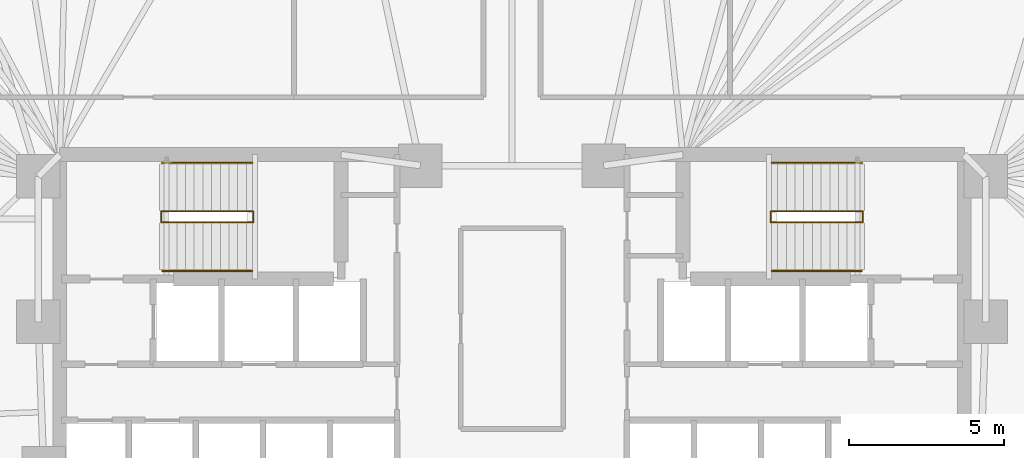
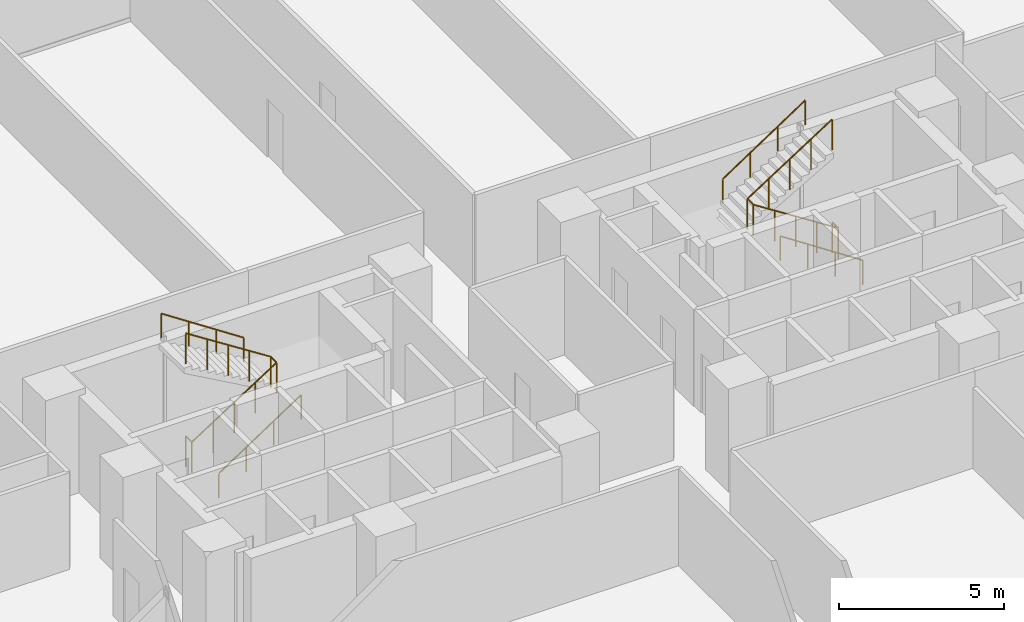
# One storey, part 17 of 17: 6 railings.
"""IFC4 building model written with IfcOpenShell, lengths in metres."""

from ifc_helpers import new_model, si_unit, direction, frame, origin, origin_2d, place, context, subcontext, project, spatial, circle, extrude, material, type_object, element, save


model = new_model("IFC4")

# Units and contexts
model_context = context("Model", 3, precision=1e-05, world=origin(), true_north=direction((0.0, 1.0)))
body_context = subcontext(model_context, "Body", "Model", "MODEL_VIEW")
ifc_project = project(units=[si_unit("LENGTHUNIT", "METRE"), si_unit("AREAUNIT", "SQUARE_METRE"), si_unit("VOLUMEUNIT", "CUBIC_METRE"), si_unit("PLANEANGLEUNIT", "RADIAN"), si_unit("MASSUNIT", "GRAM", prefix="KILO")], contexts=[model_context])

# Site, building, storey
site_placement = place(None, origin())
site = spatial("IfcSite", under=ifc_project, at=site_placement, CompositionType="ELEMENT")
building_placement = place(site_placement, origin())
building = spatial("IfcBuilding", under=site, at=building_placement, Name="Menara Jurai Vektor", CompositionType="ELEMENT")
storey_placement = place(building_placement, frame((0.0, 0.0, 25.60009765625)))
storey = spatial("IfcBuildingStorey", under=building, at=storey_placement, Name="L05", CompositionType="ELEMENT", Elevation=25.60009765625)

# Railings
ifc_material_1 = material(Name="Painted Galvanised Steel Balustrade", Category="steel")
railing_type_1 = type_object("IfcRailingType", Name="RAIL-STAIR-GUARD", PredefinedType="GUARDRAIL", material=ifc_material_1)
railing_1_placement = place(storey_placement, frame((-11.2900390625, 3.780029296875, 0.0)))
element("IfcRailing", 1, at=railing_1_placement, inside=storey, type_object=railing_type_1, Name="ST1 Stair Guardrail 1 L05", PredefinedType="GUARDRAIL", context=body_context, shape_type="SweptSolid", body=[
    extrude(circle(Radius=0.02392578125, at=origin_2d()), frame((0.0, 0.0, 1.1259765625), z_axis=(0.0, -1.0, 0.0), x_axis=(1.0, 0.0, 0.0)), (0.0, 0.0, 1.0), 0.360107421875),
    extrude(circle(Radius=0.02392578125, at=origin_2d()), frame((0.0, -0.360107421875, 1.1259765625), z_axis=(0.841557155905, 0.0, 0.540168078791), x_axis=(0.0, 1.0, 0.0)), (0.0, 0.0, 1.0), 3.517333984375),
    extrude(circle(Radius=0.02392578125, at=origin_2d()), frame((2.9599609375, -0.360107421875, 3.02587890625), z_axis=(0.0, 1.0, 0.0), x_axis=(-1.0, 0.0, 0.0)), (0.0, 0.0, 1.0), 0.360107421875),
    extrude(circle(Radius=0.02392578125, at=origin_2d()), frame((2.9599609375, 0.0, 3.02587890625), z_axis=(-0.841557155905, 0.0, 0.540168078791), x_axis=(0.0, -1.0, 0.0)), (0.0, 0.0, 1.0), 3.517333984375),
    extrude(circle(Radius=0.02099609375, at=origin_2d()), origin(), (0.0, 0.0, 1.0), 1.101806640625),
    extrude(circle(Radius=0.02099609375, at=origin_2d()), frame((0.0, -0.360107421875, 0.0)), (0.0, 0.0, 1.0), 1.101806640625),
    extrude(circle(Radius=0.02099609375, at=origin_2d()), frame((0.739990234375, -0.360107421875, 0.47509765625)), (0.0, 0.0, 1.0), 1.101806640625),
    extrude(circle(Radius=0.02099609375, at=origin_2d()), frame((1.47998046875, -0.360107421875, 0.949951171875)), (0.0, 0.0, 1.0), 1.101806640625),
    extrude(circle(Radius=0.02099609375, at=origin_2d()), frame((2.219970703125, -0.360107421875, 1.4248046875)), (0.0, 0.0, 1.0), 1.101806640625),
    extrude(circle(Radius=0.02099609375, at=origin_2d()), frame((2.9599609375, -0.360107421875, 1.89990234375)), (0.0, 0.0, 1.0), 1.101806640625),
    extrude(circle(Radius=0.02099609375, at=origin_2d()), frame((2.9599609375, 0.0, 1.89990234375)), (0.0, 0.0, 1.0), 1.101806640625),
    extrude(circle(Radius=0.02099609375, at=origin_2d()), frame((2.219970703125, 0.0, 2.375)), (0.0, 0.0, 1.0), 1.101806640625),
    extrude(circle(Radius=0.02099609375, at=origin_2d()), frame((1.47998046875, 0.0, 2.849853515625)), (0.0, 0.0, 1.0), 1.101806640625),
    extrude(circle(Radius=0.02099609375, at=origin_2d()), frame((0.739990234375, 0.0, 3.32470703125)), (0.0, 0.0, 1.0), 1.101806640625),
    extrude(circle(Radius=0.02099609375, at=origin_2d()), frame((0.0, 0.0, 3.7998046875)), (0.0, 0.0, 1.0), 1.101806640625),
])
railing_2_placement = place(storey_placement, frame((11.2900390625, 3.780029296875, 0.0)))
element("IfcRailing", 2, at=railing_2_placement, inside=storey, type_object=railing_type_1, Name="ST2 Stair Guardrail 1 L05", PredefinedType="GUARDRAIL", context=body_context, shape_type="SweptSolid", body=[
    extrude(circle(Radius=0.02392578125, at=origin_2d()), frame((0.0, 0.0, 1.1259765625), z_axis=(0.0, -1.0, 0.0), x_axis=(1.0, 0.0, 0.0)), (0.0, 0.0, 1.0), 0.360107421875),
    extrude(circle(Radius=0.02392578125, at=origin_2d()), frame((0.0, -0.360107421875, 1.1259765625), z_axis=(-0.841557155905, 0.0, 0.540168078791), x_axis=(0.0, -1.0, 0.0)), (0.0, 0.0, 1.0), 3.517333984375),
    extrude(circle(Radius=0.02392578125, at=origin_2d()), frame((-2.9599609375, -0.360107421875, 3.02587890625), z_axis=(0.0, 1.0, 0.0), x_axis=(-1.0, 0.0, 0.0)), (0.0, 0.0, 1.0), 0.360107421875),
    extrude(circle(Radius=0.02392578125, at=origin_2d()), frame((-2.9599609375, 0.0, 3.02587890625), z_axis=(0.841557155905, 0.0, 0.540168078791), x_axis=(0.0, 1.0, 0.0)), (0.0, 0.0, 1.0), 3.517333984375),
    extrude(circle(Radius=0.02099609375, at=origin_2d()), origin(), (0.0, 0.0, 1.0), 1.101806640625),
    extrude(circle(Radius=0.02099609375, at=origin_2d()), frame((0.0, -0.360107421875, 0.0)), (0.0, 0.0, 1.0), 1.101806640625),
    extrude(circle(Radius=0.02099609375, at=origin_2d()), frame((-0.739990234375, -0.360107421875, 0.47509765625)), (0.0, 0.0, 1.0), 1.101806640625),
    extrude(circle(Radius=0.02099609375, at=origin_2d()), frame((-1.47998046875, -0.360107421875, 0.949951171875)), (0.0, 0.0, 1.0), 1.101806640625),
    extrude(circle(Radius=0.02099609375, at=origin_2d()), frame((-2.219970703125, -0.360107421875, 1.4248046875)), (0.0, 0.0, 1.0), 1.101806640625),
    extrude(circle(Radius=0.02099609375, at=origin_2d()), frame((-2.9599609375, -0.360107421875, 1.89990234375)), (0.0, 0.0, 1.0), 1.101806640625),
    extrude(circle(Radius=0.02099609375, at=origin_2d()), frame((-2.9599609375, 0.0, 1.89990234375)), (0.0, 0.0, 1.0), 1.101806640625),
    extrude(circle(Radius=0.02099609375, at=origin_2d()), frame((-2.219970703125, 0.0, 2.375)), (0.0, 0.0, 1.0), 1.101806640625),
    extrude(circle(Radius=0.02099609375, at=origin_2d()), frame((-1.47998046875, 0.0, 2.849853515625)), (0.0, 0.0, 1.0), 1.101806640625),
    extrude(circle(Radius=0.02099609375, at=origin_2d()), frame((-0.739990234375, 0.0, 3.32470703125)), (0.0, 0.0, 1.0), 1.101806640625),
    extrude(circle(Radius=0.02099609375, at=origin_2d()), frame((0.0, 0.0, 3.7998046875)), (0.0, 0.0, 1.0), 1.101806640625),
])
ifc_material_2 = material(Name="Brushed Stainless Steel Handrail", Category="steel")
railing_type_2 = type_object("IfcRailingType", Name="RAIL-STAIR-HAND", PredefinedType="HANDRAIL", material=ifc_material_2)
railing_3_placement = place(storey_placement, frame((-11.25, 1.860107421875, 0.0)))
element("IfcRailing", 3, at=railing_3_placement, inside=storey, type_object=railing_type_2, Name="ST1 Stair Handrail 1 L05", PredefinedType="HANDRAIL", context=body_context, shape_type="SweptSolid", body=[
    extrude(circle(Radius=0.02392578125, at=origin_2d()), frame((0.0, 0.0, 0.89599609375), z_axis=(0.834718698933, 0.0, 0.550676578085), x_axis=(0.0, 1.0, 0.0)), (0.0, 0.0, 1.0), 3.4501953125),
    extrude(circle(Radius=0.02099609375, at=origin_2d()), origin(), (0.0, 0.0, 1.0), 0.871826171875),
    extrude(circle(Radius=0.02099609375, at=origin_2d()), frame((0.9599609375, 0.0, 0.63330078125)), (0.0, 0.0, 1.0), 0.871826171875),
    extrude(circle(Radius=0.02099609375, at=origin_2d()), frame((1.919921875, 0.0, 1.2666015625)), (0.0, 0.0, 1.0), 0.871826171875),
    extrude(circle(Radius=0.02099609375, at=origin_2d()), frame((2.8798828125, 0.0, 1.89990234375)), (0.0, 0.0, 1.0), 0.871826171875),
])
for number, where, name in (
    (4, (-8.3701171875, 5.340087890625, 1.89990234375), "ST1 Stair Handrail 2 L05"),
    (5, (11.25, 1.860107421875, 0.0), "ST2 Stair Handrail 1 L05"),
):
    element("IfcRailing", number, at=place(storey_placement, frame(where)), inside=storey, type_object=railing_type_2, Name=name, PredefinedType="HANDRAIL", context=body_context, shape_type="SweptSolid", body=[
        extrude(circle(Radius=0.02392578125, at=origin_2d()), frame((0.0, 0.0, 0.89599609375), z_axis=(-0.834718698933, 0.0, 0.550676578085), x_axis=(0.0, -1.0, 0.0)), (0.0, 0.0, 1.0), 3.4501953125),
        extrude(circle(Radius=0.02099609375, at=origin_2d()), origin(), (0.0, 0.0, 1.0), 0.871826171875),
        extrude(circle(Radius=0.02099609375, at=origin_2d()), frame((-0.9599609375, 0.0, 0.63330078125)), (0.0, 0.0, 1.0), 0.871826171875),
        extrude(circle(Radius=0.02099609375, at=origin_2d()), frame((-1.919921875, 0.0, 1.2666015625)), (0.0, 0.0, 1.0), 0.871826171875),
        extrude(circle(Radius=0.02099609375, at=origin_2d()), frame((-2.8798828125, 0.0, 1.89990234375)), (0.0, 0.0, 1.0), 0.871826171875),
    ])
railing_4_placement = place(storey_placement, frame((8.3701171875, 5.340087890625, 1.89990234375)))
element("IfcRailing", 6, at=railing_4_placement, inside=storey, type_object=railing_type_2, Name="ST2 Stair Handrail 2 L05", PredefinedType="HANDRAIL", context=body_context, shape_type="SweptSolid", body=[
    extrude(circle(Radius=0.02392578125, at=origin_2d()), frame((0.0, 0.0, 0.89599609375), z_axis=(0.834718698933, 0.0, 0.550676578085), x_axis=(0.0, 1.0, 0.0)), (0.0, 0.0, 1.0), 3.4501953125),
    extrude(circle(Radius=0.02099609375, at=origin_2d()), origin(), (0.0, 0.0, 1.0), 0.871826171875),
    extrude(circle(Radius=0.02099609375, at=origin_2d()), frame((0.9599609375, 0.0, 0.63330078125)), (0.0, 0.0, 1.0), 0.871826171875),
    extrude(circle(Radius=0.02099609375, at=origin_2d()), frame((1.919921875, 0.0, 1.2666015625)), (0.0, 0.0, 1.0), 0.871826171875),
    extrude(circle(Radius=0.02099609375, at=origin_2d()), frame((2.8798828125, 0.0, 1.89990234375)), (0.0, 0.0, 1.0), 0.871826171875),
])

save(model, "model.ifc")
